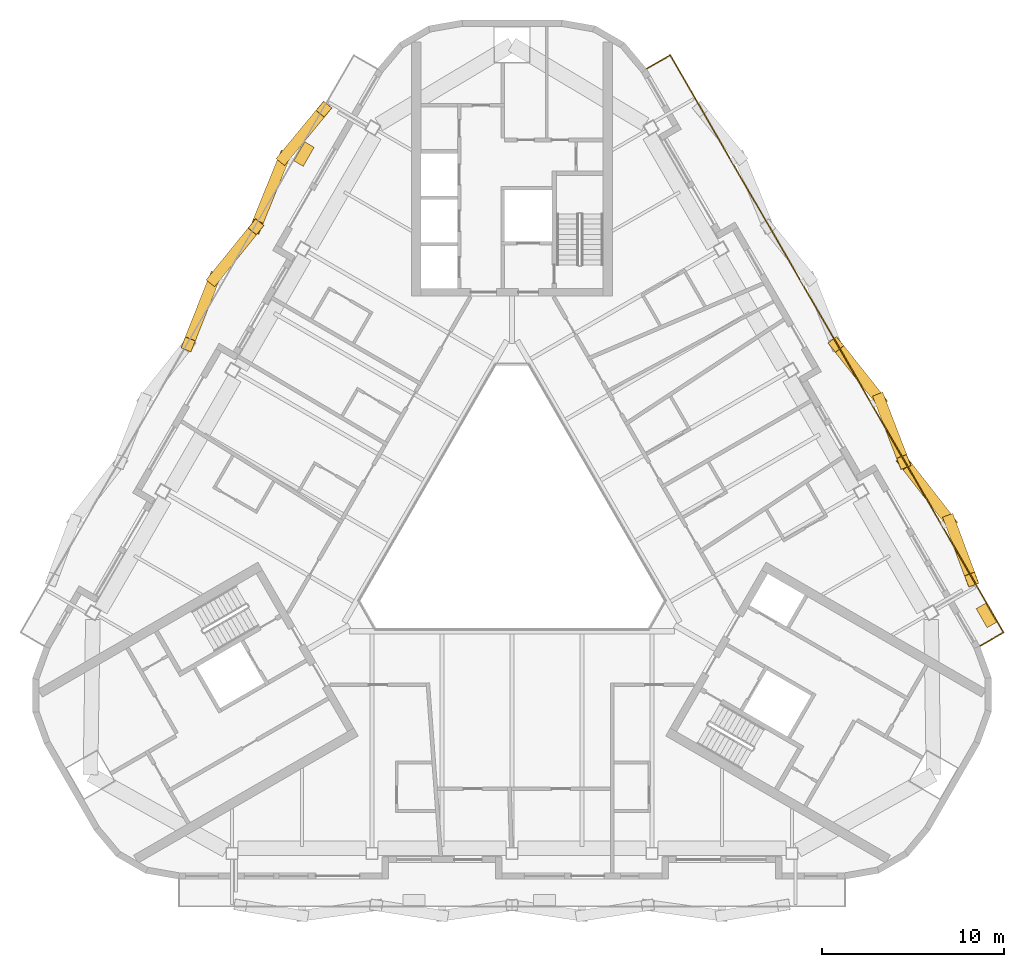
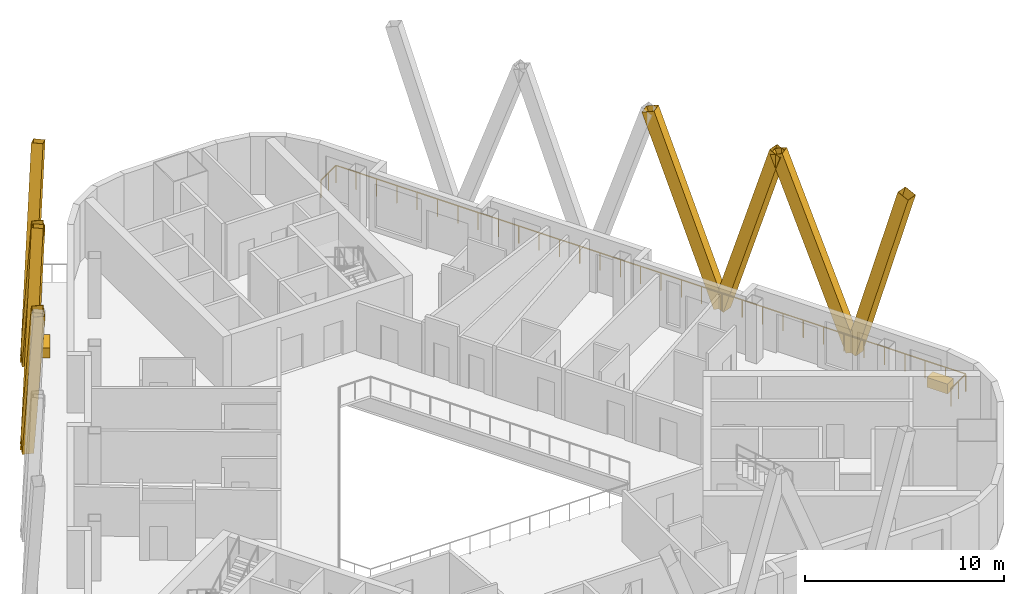
# One storey, part 13 of 14: 8 shading devices, 2 coverings, 1 railing.
"""IFC4 building model written with IfcOpenShell, lengths in metres."""

from ifc_helpers import new_model, si_unit, direction, frame, origin, origin_2d, place, context, subcontext, project, spatial, rectangle, hollow_rectangle, extrude, material, material_profile, profile_set, type_object, element, save


model = new_model("IFC4")

# Units and contexts
model_context = context("Model", 3, precision=1e-05, world=origin(), true_north=direction((0.0, 1.0)))
body_context = subcontext(model_context, "Body", "Model", "MODEL_VIEW")
ifc_project = project(units=[si_unit("LENGTHUNIT", "METRE"), si_unit("AREAUNIT", "SQUARE_METRE"), si_unit("VOLUMEUNIT", "CUBIC_METRE"), si_unit("PLANEANGLEUNIT", "RADIAN"), si_unit("MASSUNIT", "GRAM", prefix="KILO")], contexts=[model_context])

# Site, building, storey
site_placement = place(None, origin())
site = spatial("IfcSite", under=ifc_project, at=site_placement, CompositionType="ELEMENT")
building_placement = place(site_placement, origin())
building = spatial("IfcBuilding", under=site, at=building_placement, Name="Apuvela Tower Hotel", CompositionType="ELEMENT")
storey_placement = place(building_placement, frame((0.0, 0.0, 257.800048828125)))
storey = spatial("IfcBuildingStorey", under=building, at=storey_placement, Name="L63", CompositionType="ELEMENT", Elevation=257.800048828125)

# Shading devices
ifc_material_1 = material(Name="Aluminium 6063-T6, black anodised", Category="aluminium")
ifc_material_profile = material_profile(ifc_material_1, hollow_rectangle(XDim=0.60009765625, YDim=0.699951171875, WallThickness=0.011962890625, at=origin_2d()), Name="AL BOX 700x600x12")
ifc_profile_set = profile_set([ifc_material_profile], Name="Aluminium 6063-T6, black anodised")
shading_device_type = type_object("IfcShadingDeviceType", Name="ENV-FIN-700x600", PredefinedType="USERDEFINED", material=ifc_profile_set)
shading_device_1_placement = place(storey_placement, frame((23.994873046875, 0.5654296875, -0.10009765625), z_axis=(0.1031876675, -0.27633699388, 0.955505191555), x_axis=(0.936817233822, 0.34981919675, 0.0)))
element("IfcShadingDevice", 1, at=shading_device_1_placement, inside=storey, type_object=shading_device_type, Name="Lattice fin NE569", ObjectType="FIN", PredefinedType="USERDEFINED", context=body_context, shape_type="SweptSolid", body=[
    extrude(hollow_rectangle(XDim=0.60009765625, YDim=0.699951171875, WallThickness=0.011962890625, at=origin_2d()), origin(), (0.0, 0.0, 1.0), 11.616943359375),
])
shading_device_2_placement = place(storey_placement, frame((23.994873046875, 0.5654296875, -0.10009765625), z_axis=(-0.213209995974, 0.273449298175, 0.937958943102), x_axis=(-0.788614818164, -0.61488752514, 0.0)))
element("IfcShadingDevice", 2, at=shading_device_2_placement, inside=storey, type_object=shading_device_type, Name="Lattice fin NE570", ObjectType="FIN", PredefinedType="USERDEFINED", context=body_context, shape_type="SweptSolid", body=[
    extrude(hollow_rectangle(XDim=0.60009765625, YDim=0.699951171875, WallThickness=0.011962890625, at=origin_2d()), origin(), (0.0, 0.0, 1.0), 11.834228515625),
])
shading_device_3_placement = place(storey_placement, frame((20.158935546875, 7.20947265625, -0.10009765625), z_axis=(0.112340096733, -0.291641326072, 0.949907911112), x_axis=(0.933162853246, 0.359453876488, 0.0)))
element("IfcShadingDevice", 3, at=shading_device_3_placement, inside=storey, type_object=shading_device_type, Name="Lattice fin NE571", ObjectType="FIN", PredefinedType="USERDEFINED", context=body_context, shape_type="SweptSolid", body=[
    extrude(hollow_rectangle(XDim=0.60009765625, YDim=0.699951171875, WallThickness=0.011962890625, at=origin_2d()), origin(), (0.0, 0.0, 1.0), 11.685546875),
])
shading_device_4_placement = place(storey_placement, frame((20.158935546875, 7.20947265625, -0.10009765625), z_axis=(-0.204879247015, 0.258409063454, 0.94405998224), x_axis=(-0.783594919986, -0.621272083206, 0.0)))
element("IfcShadingDevice", 4, at=shading_device_4_placement, inside=storey, type_object=shading_device_type, Name="Lattice fin NE572", ObjectType="FIN", PredefinedType="USERDEFINED", context=body_context, shape_type="SweptSolid", body=[
    extrude(hollow_rectangle(XDim=0.60009765625, YDim=0.699951171875, WallThickness=0.011962890625, at=origin_2d()), origin(), (0.0, 0.0, 1.0), 11.7578125),
])
shading_device_5_placement = place(storey_placement, frame((-12.4873046875, 20.497314453125, -0.10009765625), z_axis=(0.187734450826, 0.227517425797, 0.955505937675), x_axis=(-0.771319065559, 0.636448661799, 0.0)))
element("IfcShadingDevice", 5, at=shading_device_5_placement, inside=storey, type_object=shading_device_type, Name="Lattice fin NW601", ObjectType="FIN", PredefinedType="USERDEFINED", context=body_context, shape_type="SweptSolid", body=[
    extrude(hollow_rectangle(XDim=0.60009765625, YDim=0.699951171875, WallThickness=0.011962890625, at=origin_2d()), origin(), (0.0, 0.0, 1.0), 11.616943359375),
])
shading_device_6_placement = place(storey_placement, frame((-12.4873046875, 20.497314453125, -0.10009765625), z_axis=(-0.130195409515, -0.321372855241, 0.937959830299), x_axis=(0.926830500611, -0.37547999033, 0.0)))
element("IfcShadingDevice", 6, at=shading_device_6_placement, inside=storey, type_object=shading_device_type, Name="Lattice fin NW602", ObjectType="FIN", PredefinedType="USERDEFINED", context=body_context, shape_type="SweptSolid", body=[
    extrude(hollow_rectangle(XDim=0.60009765625, YDim=0.699951171875, WallThickness=0.011962890625, at=origin_2d()), origin(), (0.0, 0.0, 1.0), 11.834228515625),
])
shading_device_7_placement = place(storey_placement, frame((-16.322998046875, 13.853515625, -0.10009765625), z_axis=(0.196392862073, 0.24308839896, 0.949914666703), x_axis=(-0.777859475099, 0.628438252336, 0.0)))
element("IfcShadingDevice", 7, at=shading_device_7_placement, inside=storey, type_object=shading_device_type, Name="Lattice fin NW603", ObjectType="FIN", PredefinedType="USERDEFINED", context=body_context, shape_type="SweptSolid", body=[
    extrude(hollow_rectangle(XDim=0.60009765625, YDim=0.699951171875, WallThickness=0.011962890625, at=origin_2d()), origin(), (0.0, 0.0, 1.0), 11.685302734375),
])
shading_device_8_placement = place(storey_placement, frame((-16.322998046875, 13.853515625, -0.10009765625), z_axis=(-0.121364736973, -0.30666138586, 0.944049466417), x_axis=(0.929829503012, -0.367990618533, 0.0)))
element("IfcShadingDevice", 8, at=shading_device_8_placement, inside=storey, type_object=shading_device_type, Name="Lattice fin NW604", ObjectType="FIN", PredefinedType="USERDEFINED", context=body_context, shape_type="SweptSolid", body=[
    extrude(hollow_rectangle(XDim=0.60009765625, YDim=0.699951171875, WallThickness=0.011962890625, at=origin_2d()), origin(), (0.0, 0.0, 1.0), 11.758056640625),
])

# Railing
ifc_material_2 = material(Name="Stainless steel 316 rail with laminated glass infill", Category="steel")
railing_type = type_object("IfcRailingType", Name="ENV-GUARD-1100", PredefinedType="GUARDRAIL", material=ifc_material_2)
railing_placement = place(storey_placement, frame((25.64501953125, -6.292724609375, 0.0)))
element("IfcRailing", 9, at=railing_placement, inside=storey, type_object=railing_type, Name="Balcony guard NE L63", PredefinedType="GUARDRAIL", context=body_context, shape_type="SweptSolid", body=[
    extrude(rectangle(XDim=0.050048828125, YDim=0.050048828125, at=origin_2d()), frame((0.0, 0.0, 1.0751953125), z_axis=(0.866031096941, 0.499990139034, 0.0), x_axis=(-0.499990139034, 0.866031096941, 0.0)), (0.0, 0.0, 1.0), 1.5),
    extrude(rectangle(XDim=0.050048828125, YDim=0.050048828125, at=origin_2d()), frame((1.299072265625, 0.75, 1.0751953125), z_axis=(-0.499999648787, 0.866025606557, 0.0), x_axis=(-0.866025606557, -0.499999648787, 0.0)), (0.0, 0.0, 1.0), 36.54443359375),
    extrude(rectangle(XDim=0.050048828125, YDim=0.050048828125, at=origin_2d()), frame((-16.97314453125, 32.3984375, 1.0751953125), z_axis=(-0.866031096941, -0.499990139034, 0.0), x_axis=(0.499990139034, -0.866031096941, 0.0)), (0.0, 0.0, 1.0), 1.5),
    extrude(rectangle(XDim=0.0400390625, YDim=0.0400390625, at=origin_2d()), origin(), (0.0, 0.0, 1.0), 1.050048828125),
    extrude(rectangle(XDim=0.0400390625, YDim=0.0400390625, at=origin_2d()), frame((0.6494140625, 0.375, 0.0)), (0.0, 0.0, 1.0), 1.050048828125),
    extrude(rectangle(XDim=0.0400390625, YDim=0.0400390625, at=origin_2d()), frame((1.299072265625, 0.75, 0.0)), (0.0, 0.0, 1.0), 1.050048828125),
    extrude(rectangle(XDim=0.0400390625, YDim=0.0400390625, at=origin_2d()), frame((0.709716796875, 1.77099609375, 0.0)), (0.0, 0.0, 1.0), 1.050048828125),
    extrude(rectangle(XDim=0.0400390625, YDim=0.0400390625, at=origin_2d()), frame((0.1201171875, 2.791748046875, 0.0)), (0.0, 0.0, 1.0), 1.050048828125),
    extrude(rectangle(XDim=0.0400390625, YDim=0.0400390625, at=origin_2d()), frame((-0.46923828125, 3.812744140625, 0.0)), (0.0, 0.0, 1.0), 1.050048828125),
    extrude(rectangle(XDim=0.0400390625, YDim=0.0400390625, at=origin_2d()), frame((-1.05859375, 4.833740234375, 0.0)), (0.0, 0.0, 1.0), 1.050048828125),
    extrude(rectangle(XDim=0.0400390625, YDim=0.0400390625, at=origin_2d()), frame((-1.64794921875, 5.8544921875, 0.0)), (0.0, 0.0, 1.0), 1.050048828125),
    extrude(rectangle(XDim=0.0400390625, YDim=0.0400390625, at=origin_2d()), frame((-2.237548828125, 6.87548828125, 0.0)), (0.0, 0.0, 1.0), 1.050048828125),
    extrude(rectangle(XDim=0.0400390625, YDim=0.0400390625, at=origin_2d()), frame((-2.826904296875, 7.896484375, 0.0)), (0.0, 0.0, 1.0), 1.050048828125),
    extrude(rectangle(XDim=0.0400390625, YDim=0.0400390625, at=origin_2d()), frame((-3.416259765625, 8.917236328125, 0.0)), (0.0, 0.0, 1.0), 1.050048828125),
    extrude(rectangle(XDim=0.0400390625, YDim=0.0400390625, at=origin_2d()), frame((-4.005859375, 9.938232421875, 0.0)), (0.0, 0.0, 1.0), 1.050048828125),
    extrude(rectangle(XDim=0.0400390625, YDim=0.0400390625, at=origin_2d()), frame((-4.59521484375, 10.959228515625, 0.0)), (0.0, 0.0, 1.0), 1.050048828125),
    extrude(rectangle(XDim=0.0400390625, YDim=0.0400390625, at=origin_2d()), frame((-5.1845703125, 11.97998046875, 0.0)), (0.0, 0.0, 1.0), 1.050048828125),
    extrude(rectangle(XDim=0.0400390625, YDim=0.0400390625, at=origin_2d()), frame((-5.77392578125, 13.0009765625, 0.0)), (0.0, 0.0, 1.0), 1.050048828125),
    extrude(rectangle(XDim=0.0400390625, YDim=0.0400390625, at=origin_2d()), frame((-6.363525390625, 14.02197265625, 0.0)), (0.0, 0.0, 1.0), 1.050048828125),
    extrude(rectangle(XDim=0.0400390625, YDim=0.0400390625, at=origin_2d()), frame((-6.952880859375, 15.042724609375, 0.0)), (0.0, 0.0, 1.0), 1.050048828125),
    extrude(rectangle(XDim=0.0400390625, YDim=0.0400390625, at=origin_2d()), frame((-7.542236328125, 16.063720703125, 0.0)), (0.0, 0.0, 1.0), 1.050048828125),
    extrude(rectangle(XDim=0.0400390625, YDim=0.0400390625, at=origin_2d()), frame((-8.1318359375, 17.084716796875, 0.0)), (0.0, 0.0, 1.0), 1.050048828125),
    extrude(rectangle(XDim=0.0400390625, YDim=0.0400390625, at=origin_2d()), frame((-8.72119140625, 18.105712890625, 0.0)), (0.0, 0.0, 1.0), 1.050048828125),
    extrude(rectangle(XDim=0.0400390625, YDim=0.0400390625, at=origin_2d()), frame((-9.310546875, 19.12646484375, 0.0)), (0.0, 0.0, 1.0), 1.050048828125),
    extrude(rectangle(XDim=0.0400390625, YDim=0.0400390625, at=origin_2d()), frame((-9.900146484375, 20.1474609375, 0.0)), (0.0, 0.0, 1.0), 1.050048828125),
    extrude(rectangle(XDim=0.0400390625, YDim=0.0400390625, at=origin_2d()), frame((-10.489501953125, 21.16845703125, 0.0)), (0.0, 0.0, 1.0), 1.050048828125),
    extrude(rectangle(XDim=0.0400390625, YDim=0.0400390625, at=origin_2d()), frame((-11.078857421875, 22.189208984375, 0.0)), (0.0, 0.0, 1.0), 1.050048828125),
    extrude(rectangle(XDim=0.0400390625, YDim=0.0400390625, at=origin_2d()), frame((-11.668212890625, 23.210205078125, 0.0)), (0.0, 0.0, 1.0), 1.050048828125),
    extrude(rectangle(XDim=0.0400390625, YDim=0.0400390625, at=origin_2d()), frame((-12.2578125, 24.231201171875, 0.0)), (0.0, 0.0, 1.0), 1.050048828125),
    extrude(rectangle(XDim=0.0400390625, YDim=0.0400390625, at=origin_2d()), frame((-12.84716796875, 25.251953125, 0.0)), (0.0, 0.0, 1.0), 1.050048828125),
    extrude(rectangle(XDim=0.0400390625, YDim=0.0400390625, at=origin_2d()), frame((-13.4365234375, 26.27294921875, 0.0)), (0.0, 0.0, 1.0), 1.050048828125),
    extrude(rectangle(XDim=0.0400390625, YDim=0.0400390625, at=origin_2d()), frame((-14.026123046875, 27.2939453125, 0.0)), (0.0, 0.0, 1.0), 1.050048828125),
    extrude(rectangle(XDim=0.0400390625, YDim=0.0400390625, at=origin_2d()), frame((-14.615478515625, 28.314697265625, 0.0)), (0.0, 0.0, 1.0), 1.050048828125),
    extrude(rectangle(XDim=0.0400390625, YDim=0.0400390625, at=origin_2d()), frame((-15.204833984375, 29.335693359375, 0.0)), (0.0, 0.0, 1.0), 1.050048828125),
    extrude(rectangle(XDim=0.0400390625, YDim=0.0400390625, at=origin_2d()), frame((-15.794189453125, 30.356689453125, 0.0)), (0.0, 0.0, 1.0), 1.050048828125),
    extrude(rectangle(XDim=0.0400390625, YDim=0.0400390625, at=origin_2d()), frame((-16.3837890625, 31.37744140625, 0.0)), (0.0, 0.0, 1.0), 1.050048828125),
    extrude(rectangle(XDim=0.0400390625, YDim=0.0400390625, at=origin_2d()), frame((-16.97314453125, 32.3984375, 0.0)), (0.0, 0.0, 1.0), 1.050048828125),
    extrude(rectangle(XDim=0.0400390625, YDim=0.0400390625, at=origin_2d()), frame((-17.62255859375, 32.0234375, 0.0)), (0.0, 0.0, 1.0), 1.050048828125),
    extrude(rectangle(XDim=0.0400390625, YDim=0.0400390625, at=origin_2d()), frame((-18.272216796875, 31.6484375, 0.0)), (0.0, 0.0, 1.0), 1.050048828125),
])

# Coverings
ifc_material_3 = material(Name="Planting substrate and soil, planted")
covering_type = type_object("IfcCoveringType", Name="ENV-PLANTER-1200x600", PredefinedType="USERDEFINED", material=ifc_material_3)
for number, where, z_axis, x_axis, name in (
    (10, (26.0009765625, -4.60888671875, 0.0), (0.0, 0.0, 1.0), (-0.5, 0.866025403784, 0.0), "Planter NE3"),
    (11, (-11.40087890625, 20.6787109375, 0.0), (0.0, 0.0, 1.0), (-0.5, -0.866025403784, 0.0), "Planter NW4"),
):
    element("IfcCovering", number, at=place(storey_placement, frame(where, z_axis=z_axis, x_axis=x_axis)), inside=storey, type_object=covering_type, Name=name, ObjectType="PLANTER", PredefinedType="USERDEFINED", context=body_context, shape_type="SweptSolid", body=[
        extrude(rectangle(XDim=1.199951171875, YDim=0.60009765625, at=origin_2d()), origin(), (0.0, 0.0, 1.0), 0.60009765625),
    ])

save(model, "model.ifc")
